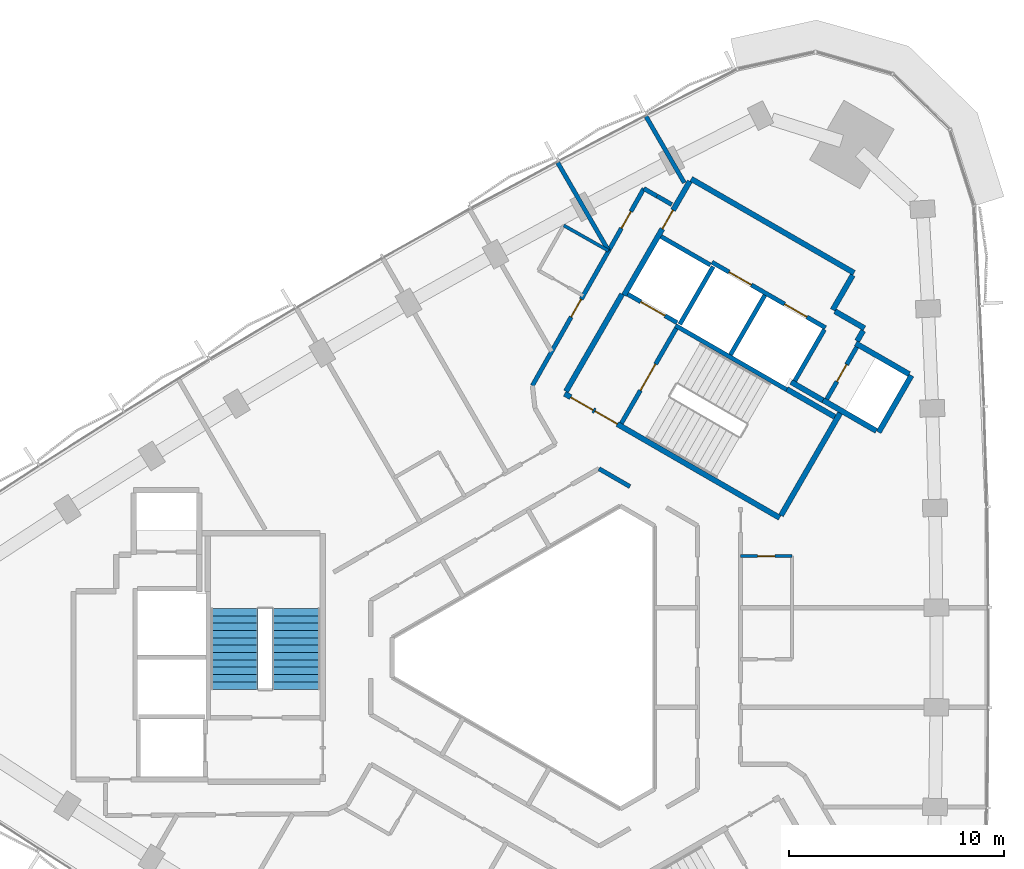
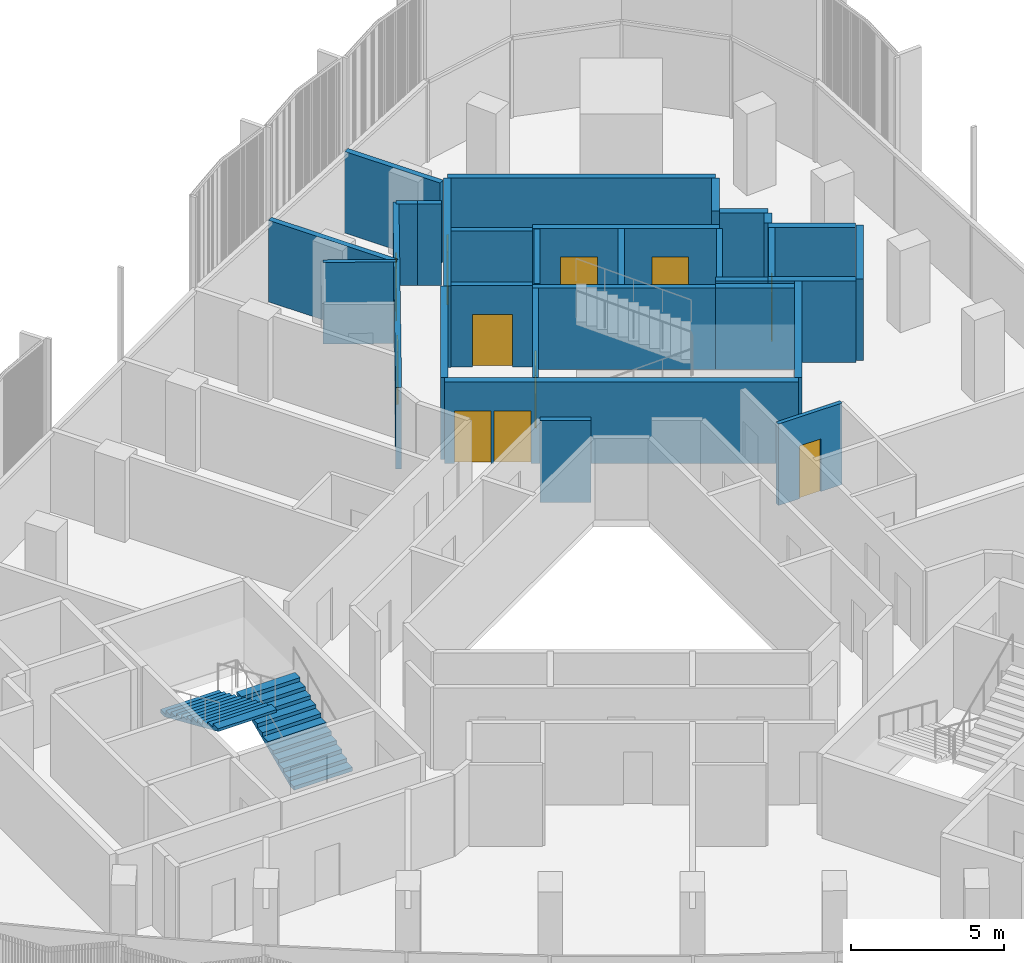
# One storey, part 10 of 14: 30 walls, 11 doors, 2 stair flights, 11 openings, 1 element without a shape of its own.
"""IFC4 building model written with IfcOpenShell, lengths in metres."""

from ifc_helpers import new_model, si_unit, direction, frame, frame_2d, origin, place, context, subcontext, project, spatial, polyline, rectangle, outline, extrude, material, layer, layer_set, type_object, element, fill, aggregate, save


model = new_model("IFC4")

# Units and contexts
model_context = context("Model", 3, precision=1e-05, world=origin(), true_north=direction((0.0, 1.0)))
body_context = subcontext(model_context, "Body", "Model", "MODEL_VIEW")
ifc_project = project(units=[si_unit("LENGTHUNIT", "METRE"), si_unit("AREAUNIT", "SQUARE_METRE"), si_unit("VOLUMEUNIT", "CUBIC_METRE"), si_unit("PLANEANGLEUNIT", "RADIAN"), si_unit("MASSUNIT", "GRAM", prefix="KILO")], contexts=[model_context])

# Site, building, storey
site_placement = place(None, origin())
site = spatial("IfcSite", under=ifc_project, at=site_placement, CompositionType="ELEMENT")
building_placement = place(site_placement, origin())
building = spatial("IfcBuilding", under=site, at=building_placement, Name="Tamra Quay Hotel Tower", CompositionType="ELEMENT")
storey_placement = place(building_placement, frame((0.0, 0.0, 197.199951171875)))
storey = spatial("IfcBuildingStorey", under=building, at=storey_placement, Name="L49", CompositionType="ELEMENT", Elevation=197.199951171875)

# Wall, openings, doors
ifc_material_1 = material(Name="Concrete M70", Category="concrete")
ifc_layer_1 = layer(ifc_material_1, 0.199951171875)
ifc_layer_set_1 = layer_set([ifc_layer_1], Name="Concrete M70 core wall 200")
wall_type_1 = type_object("IfcWallType", Name="Concrete M70 core wall 200", PredefinedType="SHEAR", material=ifc_layer_set_1)
wall_1_placement = place(storey_placement, frame((12.552490234375, 15.341552734375, 0.0), z_axis=(0.0, 0.0, 1.0), x_axis=(-0.866030299012, 0.499991521122, 0.0)))
wall_1 = element("IfcWall", 1, at=wall_1_placement, inside=storey, type_object=wall_type_1, Name="CW2", PredefinedType="SHEAR", context=body_context, shape_type="SweptSolid", body=[
    extrude(rectangle(XDim=6.10009765625, YDim=0.199951171875, at=frame_2d((3.050048828125, 0.0))), origin(), (0.0, 0.0, 1.0), 3.25),
])
opening_1_placement = place(wall_1_placement, frame((1.0, 0.0, 0.0)))
opening_1 = element("IfcOpeningElement", 2, at=opening_1_placement, cuts=wall_1, Name="Opening LD", PredefinedType="OPENING", context=body_context, shape_type="SweptSolid", body=[
    extrude(rectangle(XDim=1.199951171875, YDim=2.10009765625, at=frame_2d((0.60009765625, 1.050048828125))), frame((0.0, 0.10986328125, 0.0), z_axis=(0.0, -1.0, 0.0), x_axis=(1.0, 0.0, 0.0)), (0.0, 0.0, 1.0), 0.219970703125),
])
opening_2_placement = place(wall_1_placement, frame((3.982177734375, 0.0, 0.0)))
opening_2 = element("IfcOpeningElement", 3, at=opening_2_placement, cuts=wall_1, Name="Opening LD", PredefinedType="OPENING", context=body_context, shape_type="SweptSolid", body=[
    extrude(rectangle(XDim=1.199951171875, YDim=2.10009765625, at=frame_2d((0.60009765625, 1.050048828125))), frame((0.0, 0.10986328125, 0.0), z_axis=(0.0, -1.0, 0.0), x_axis=(1.0, 0.0, 0.0)), (0.0, 0.0, 1.0), 0.219970703125),
])
ifc_material_2 = material(Name="Landing door LD 1200 double door sliding")
door_type_1 = type_object("IfcDoorType", Name="Landing door LD 1200 double door sliding", OperationType="DOUBLE_DOOR_SLIDING", PredefinedType="DOOR", material=ifc_material_2)
door_1_placement = place(opening_1_placement, origin())
door_1 = element("IfcDoor", 4, at=door_1_placement, inside=storey, type_object=door_type_1, Name="LD", OperationType="DOUBLE_DOOR_SLIDING", OverallHeight=2.10009765625, OverallWidth=1.199951171875, PredefinedType="DOOR", context=body_context, shape_type="SweptSolid", body=[
    extrude(rectangle(XDim=1.199951171875, YDim=2.10009765625, at=frame_2d((0.60009765625, 1.050048828125))), frame((0.0, 0.02490234375, 0.0), z_axis=(0.0, -1.0, 0.0), x_axis=(1.0, 0.0, 0.0)), (0.0, 0.0, 1.0), 0.050048828125),
])
fill(opening_1, door_1)
door_2_placement = place(opening_2_placement, origin())
door_2 = element("IfcDoor", 5, at=door_2_placement, inside=storey, type_object=door_type_1, Name="LD", OperationType="DOUBLE_DOOR_SLIDING", OverallHeight=2.10009765625, OverallWidth=1.199951171875, PredefinedType="DOOR", context=body_context, shape_type="SweptSolid", body=[
    extrude(rectangle(XDim=1.199951171875, YDim=2.10009765625, at=frame_2d((0.60009765625, 1.050048828125))), frame((0.0, 0.02490234375, 0.0), z_axis=(0.0, -1.0, 0.0), x_axis=(1.0, 0.0, 0.0)), (0.0, 0.0, 1.0), 0.050048828125),
])
fill(opening_2, door_2)

# Wall
wall_2_placement = place(storey_placement, frame((10.7431640625, 12.4599609375, 0.0), z_axis=(0.0, 0.0, 1.0), x_axis=(-0.866018848283, 0.500011354289, 0.0)))
element("IfcWall", 6, at=wall_2_placement, inside=storey, type_object=wall_type_1, Name="CW2", PredefinedType="SHEAR", context=body_context, shape_type="SweptSolid", body=[
    extrude(rectangle(XDim=5.973876953125, YDim=0.199951171875, at=frame_2d((2.98681640625, 0.0))), origin(), (0.0, 0.0, 1.0), 3.25),
])

# Wall, opening, door
wall_3_placement = place(storey_placement, frame((3.056640625, 10.89453125, 0.0), z_axis=(0.0, 0.0, 1.0), x_axis=(0.500027839223, 0.866009330205, 0.0)))
wall_3 = element("IfcWall", 7, at=wall_3_placement, inside=storey, type_object=wall_type_1, Name="CW2", PredefinedType="SHEAR", context=body_context, shape_type="SweptSolid", body=[
    extrude(rectangle(XDim=5.097900390625, YDim=0.199951171875, at=frame_2d((2.548828125, 0.0))), origin(), (0.0, 0.0, 1.0), 3.25),
])
opening_3_placement = place(wall_3_placement, frame((1.77392578125, 0.0, 0.0)))
opening_3 = element("IfcOpeningElement", 8, at=opening_3_placement, cuts=wall_3, Name="Opening FD2", PredefinedType="OPENING", context=body_context, shape_type="SweptSolid", body=[
    extrude(rectangle(XDim=1.39990234375, YDim=2.10009765625, at=frame_2d((0.699951171875, 1.050048828125))), frame((0.0, 0.10986328125, 0.0), z_axis=(0.0, -1.0, 0.0), x_axis=(1.0, 0.0, 0.0)), (0.0, 0.0, 1.0), 0.219970703125),
])
ifc_material_3 = material(Name="Core door FD2 1400x2100 RH")
door_type_2 = type_object("IfcDoorType", Name="Core door FD2 1400x2100 RH", OperationType="NOTDEFINED", PredefinedType="DOOR", material=ifc_material_3)
door_3_placement = place(opening_3_placement, origin())
door_3 = element("IfcDoor", 9, at=door_3_placement, inside=storey, type_object=door_type_2, Name="FD2", OperationType="SINGLE_SWING_RIGHT", OverallHeight=2.10009765625, OverallWidth=1.39990234375, PredefinedType="DOOR", context=body_context, shape_type="SweptSolid", body=[
    extrude(rectangle(XDim=1.39990234375, YDim=2.10009765625, at=frame_2d((0.699951171875, 1.050048828125))), frame((0.0, 0.02490234375, 0.0), z_axis=(0.0, -1.0, 0.0), x_axis=(1.0, 0.0, 0.0)), (0.0, 0.0, 1.0), 0.050048828125),
])
fill(opening_3, door_3)

# Wall
wall_4_placement = place(storey_placement, frame((8.131591796875, 14.08447265625, 0.0), z_axis=(0.0, 0.0, 1.0), x_axis=(0.500030834389, 0.86600760081, 0.0)))
element("IfcWall", 10, at=wall_4_placement, inside=storey, type_object=wall_type_1, Name="CW2", PredefinedType="SHEAR", context=body_context, shape_type="SweptSolid", body=[
    extrude(rectangle(XDim=3.197998046875, YDim=0.199951171875, at=frame_2d((1.59912109375, 0.0))), origin(), (0.0, 0.0, 1.0), 3.25),
])

# Wall, opening, door
wall_5_placement = place(storey_placement, frame((14.0078125, 14.442138671875, 0.0), z_axis=(0.0, 0.0, 1.0), x_axis=(-0.499986818241, -0.866033014143, 0.0)))
wall_5 = element("IfcWall", 11, at=wall_5_placement, inside=storey, type_object=wall_type_1, Name="CW2", PredefinedType="SHEAR", context=body_context, shape_type="SweptSolid", body=[
    extrude(rectangle(XDim=2.7978515625, YDim=0.199951171875, at=frame_2d((1.39892578125, 0.0))), origin(), (0.0, 0.0, 1.0), 3.25),
])
opening_4_placement = place(wall_5_placement, frame((0.948974609375, 0.0, 0.0)))
opening_4 = element("IfcOpeningElement", 12, at=opening_4_placement, cuts=wall_5, Name="Opening D1", PredefinedType="OPENING", context=body_context, shape_type="SweptSolid", body=[
    extrude(rectangle(XDim=0.89990234375, YDim=2.10009765625, at=frame_2d((0.449951171875, 1.050048828125))), frame((0.0, 0.10986328125, 0.0), z_axis=(0.0, -1.0, 0.0), x_axis=(1.0, 0.0, 0.0)), (0.0, 0.0, 1.0), 0.219970703125),
])
ifc_material_4 = material(Name="Core door D1 900x2100 LH")
door_type_3 = type_object("IfcDoorType", Name="Core door D1 900x2100 LH", OperationType="NOTDEFINED", PredefinedType="DOOR", material=ifc_material_4)
door_4_placement = place(opening_4_placement, origin())
door_4 = element("IfcDoor", 13, at=door_4_placement, inside=storey, type_object=door_type_3, Name="D1", OperationType="SINGLE_SWING_LEFT", OverallHeight=2.10009765625, OverallWidth=0.89990234375, PredefinedType="DOOR", context=body_context, shape_type="SweptSolid", body=[
    extrude(rectangle(XDim=0.89990234375, YDim=2.10009765625, at=frame_2d((0.449951171875, 1.050048828125))), frame((0.0, 0.02490234375, 0.0), z_axis=(0.0, -1.0, 0.0), x_axis=(1.0, 0.0, 0.0)), (0.0, 0.0, 1.0), 0.050048828125),
])
fill(opening_4, door_4)

# Walls
wall_6_placement = place(storey_placement, frame((12.50244140625, 15.2548828125, 0.0), z_axis=(0.0, 0.0, 1.0), x_axis=(-0.499965018551, -0.866045599391, 0.0)))
element("IfcWall", 14, at=wall_6_placement, inside=storey, type_object=wall_type_1, Name="CW2", PredefinedType="SHEAR", context=body_context, shape_type="SweptSolid", body=[
    extrude(rectangle(XDim=2.759033203125, YDim=0.199951171875, at=frame_2d((1.37939453125, 0.0))), origin(), (0.0, 0.0, 1.0), 3.25),
])
wall_7_placement = place(storey_placement, frame((7.324462890625, 18.1865234375, 0.0), z_axis=(0.0, 0.0, 1.0), x_axis=(-0.499967891604, -0.866043940782, 0.0)))
element("IfcWall", 15, at=wall_7_placement, inside=storey, type_object=wall_type_1, Name="CW2", PredefinedType="SHEAR", context=body_context, shape_type="SweptSolid", body=[
    extrude(rectangle(XDim=3.099853515625, YDim=0.199951171875, at=frame_2d((1.5498046875, 0.0))), origin(), (0.0, 0.0, 1.0), 3.25),
])

# Wall, opening, door
wall_8_placement = place(storey_placement, frame((5.646240234375, 15.575927734375, 0.0), z_axis=(0.0, 0.0, 1.0), x_axis=(-0.866018407898, 0.500012117035, 0.0)))
wall_8 = element("IfcWall", 16, at=wall_8_placement, inside=storey, type_object=wall_type_1, Name="CW2", PredefinedType="SHEAR", context=body_context, shape_type="SweptSolid", body=[
    extrude(rectangle(XDim=2.65087890625, YDim=0.199951171875, at=frame_2d((1.325439453125, 0.0))), origin(), (0.0, 0.0, 1.0), 3.25),
])
opening_5_placement = place(wall_8_placement, frame((0.65185546875, 0.0, 0.0)))
opening_5 = element("IfcOpeningElement", 17, at=opening_5_placement, cuts=wall_8, Name="Opening LD", PredefinedType="OPENING", context=body_context, shape_type="SweptSolid", body=[
    extrude(rectangle(XDim=1.300048828125, YDim=2.10009765625, at=frame_2d((0.64990234375, 1.050048828125))), frame((0.0, 0.10986328125, 0.0), z_axis=(0.0, -1.0, 0.0), x_axis=(1.0, 0.0, 0.0)), (0.0, 0.0, 1.0), 0.219970703125),
])
ifc_material_5 = material(Name="Landing door LD 1300 sliding to right")
door_type_4 = type_object("IfcDoorType", Name="Landing door LD 1300 sliding to right", OperationType="NOTDEFINED", PredefinedType="DOOR", material=ifc_material_5)
door_5_placement = place(opening_5_placement, origin())
door_5 = element("IfcDoor", 18, at=door_5_placement, inside=storey, type_object=door_type_4, Name="LD", OperationType="SLIDING_TO_RIGHT", OverallHeight=2.10009765625, OverallWidth=1.300048828125, PredefinedType="DOOR", context=body_context, shape_type="SweptSolid", body=[
    extrude(rectangle(XDim=1.300048828125, YDim=2.10009765625, at=frame_2d((0.64990234375, 1.050048828125))), frame((0.0, 0.02490234375, 0.0), z_axis=(0.0, -1.0, 0.0), x_axis=(1.0, 0.0, 0.0)), (0.0, 0.0, 1.0), 0.050048828125),
])
fill(opening_5, door_5)

# Wall
wall_9_placement = place(storey_placement, frame((7.1962890625, 18.260498046875, 0.0), z_axis=(0.0, 0.0, 1.0), x_axis=(-0.866018407898, 0.500012117035, 0.0)))
element("IfcWall", 19, at=wall_9_placement, inside=storey, type_object=wall_type_1, Name="CW2", PredefinedType="SHEAR", context=body_context, shape_type="SweptSolid", body=[
    extrude(rectangle(XDim=2.65087890625, YDim=0.199951171875, at=frame_2d((1.325439453125, 0.0))), origin(), (0.0, 0.0, 1.0), 3.25),
])

# Wall, openings, doors
ifc_layer_2 = layer(ifc_material_1, 0.25)
ifc_layer_set_2 = layer_set([ifc_layer_2], Name="Concrete M70 core wall 250")
wall_type_2 = type_object("IfcWallType", Name="Concrete M70 core wall 250", PredefinedType="SHEAR", material=ifc_layer_set_2)
wall_10_placement = place(storey_placement, frame((10.419921875, 6.497802734375, 0.0), z_axis=(0.0, 0.0, 1.0), x_axis=(-0.866021906294, 0.500006057782, 0.0)))
wall_10 = element("IfcWall", 20, at=wall_10_placement, inside=storey, type_object=wall_type_2, Name="CW1", PredefinedType="SHEAR", context=body_context, shape_type="SweptSolid", body=[
    extrude(rectangle(XDim=11.550048828125, YDim=0.25, at=frame_2d((5.77490234375, 0.0))), origin(), (0.0, 0.0, 1.0), 3.25),
])
opening_6_placement = place(wall_10_placement, frame((10.02490234375, 0.0, 0.0)))
opening_6 = element("IfcOpeningElement", 21, at=opening_6_placement, cuts=wall_10, Name="Opening FD1", PredefinedType="OPENING", context=body_context, shape_type="SweptSolid", body=[
    extrude(rectangle(XDim=1.199951171875, YDim=2.10009765625, at=frame_2d((0.60009765625, 1.050048828125))), frame((0.0, 0.135009765625, 0.0), z_axis=(0.0, -1.0, 0.0), x_axis=(1.0, 0.0, 0.0)), (0.0, 0.0, 1.0), 0.27001953125),
])
opening_7_placement = place(wall_10_placement, frame((8.724853515625, 0.0, 0.0)))
opening_7 = element("IfcOpeningElement", 22, at=opening_7_placement, cuts=wall_10, Name="Opening FD1", PredefinedType="OPENING", context=body_context, shape_type="SweptSolid", body=[
    extrude(rectangle(XDim=1.199951171875, YDim=2.10009765625, at=frame_2d((0.60009765625, 1.050048828125))), frame((0.0, 0.135009765625, 0.0), z_axis=(0.0, -1.0, 0.0), x_axis=(1.0, 0.0, 0.0)), (0.0, 0.0, 1.0), 0.27001953125),
])
ifc_material_6 = material(Name="Core door FD1 1200x2100 LH")
door_type_5 = type_object("IfcDoorType", Name="Core door FD1 1200x2100 LH", OperationType="NOTDEFINED", PredefinedType="DOOR", material=ifc_material_6)
door_6_placement = place(opening_6_placement, origin())
door_6 = element("IfcDoor", 23, at=door_6_placement, inside=storey, type_object=door_type_5, Name="FD1", OperationType="SINGLE_SWING_LEFT", OverallHeight=2.10009765625, OverallWidth=1.199951171875, PredefinedType="DOOR", context=body_context, shape_type="SweptSolid", body=[
    extrude(rectangle(XDim=1.199951171875, YDim=2.10009765625, at=frame_2d((0.60009765625, 1.050048828125))), frame((0.0, 0.02490234375, 0.0), z_axis=(0.0, -1.0, 0.0), x_axis=(1.0, 0.0, 0.0)), (0.0, 0.0, 1.0), 0.050048828125),
])
fill(opening_6, door_6)
ifc_material_7 = material(Name="Core door FD1 1200x2100 RH")
door_type_6 = type_object("IfcDoorType", Name="Core door FD1 1200x2100 RH", OperationType="NOTDEFINED", PredefinedType="DOOR", material=ifc_material_7)
door_7_placement = place(opening_7_placement, origin())
door_7 = element("IfcDoor", 24, at=door_7_placement, inside=storey, type_object=door_type_6, Name="FD1", OperationType="SINGLE_SWING_RIGHT", OverallHeight=2.10009765625, OverallWidth=1.199951171875, PredefinedType="DOOR", context=body_context, shape_type="SweptSolid", body=[
    extrude(rectangle(XDim=1.199951171875, YDim=2.10009765625, at=frame_2d((0.60009765625, 1.050048828125))), frame((0.0, 0.02490234375, 0.0), z_axis=(0.0, -1.0, 0.0), x_axis=(1.0, 0.0, 0.0)), (0.0, 0.0, 1.0), 0.050048828125),
])
fill(opening_7, door_7)

# Wall
wall_11_placement = place(storey_placement, frame((6.303955078125, 22.268798828125, 0.0), z_axis=(0.0, 0.0, 1.0), x_axis=(0.866022959057, -0.500004234368, 0.0)))
element("IfcWall", 25, at=wall_11_placement, inside=storey, type_object=wall_type_2, Name="CW1", PredefinedType="SHEAR", context=body_context, shape_type="SweptSolid", body=[
    extrude(rectangle(XDim=8.75, YDim=0.25, at=frame_2d((4.375, 0.0))), origin(), (0.0, 0.0, 1.0), 3.25),
])

# Wall, opening, door
wall_12_placement = place(storey_placement, frame((3.178955078125, 16.856201171875, 0.0), z_axis=(0.0, 0.0, 1.0), x_axis=(0.500001955336, 0.866024274868, 0.0)))
wall_12 = element("IfcWall", 26, at=wall_12_placement, inside=storey, type_object=wall_type_2, Name="CW1", PredefinedType="SHEAR", context=body_context, shape_type="SweptSolid", body=[
    extrude(rectangle(XDim=6.12451171875, YDim=0.25, at=frame_2d((3.062255859375, 0.0))), origin(), (0.0, 0.0, 1.0), 3.25),
])
opening_8_placement = place(wall_12_placement, frame((3.562744140625, 0.0, 0.0)))
opening_8 = element("IfcOpeningElement", 27, at=opening_8_placement, cuts=wall_12, Name="Opening FD3", PredefinedType="OPENING", context=body_context, shape_type="SweptSolid", body=[
    extrude(rectangle(XDim=1.0, YDim=2.10009765625, at=frame_2d((0.5, 1.050048828125))), frame((0.0, 0.135009765625, 0.0), z_axis=(0.0, -1.0, 0.0), x_axis=(1.0, 0.0, 0.0)), (0.0, 0.0, 1.0), 0.27001953125),
])
ifc_material_8 = material(Name="Core door FD3 1000x2100 LH")
door_type_7 = type_object("IfcDoorType", Name="Core door FD3 1000x2100 LH", OperationType="NOTDEFINED", PredefinedType="DOOR", material=ifc_material_8)
door_8_placement = place(opening_8_placement, origin())
door_8 = element("IfcDoor", 28, at=door_8_placement, inside=storey, type_object=door_type_7, Name="FD3", OperationType="SINGLE_SWING_LEFT", OverallHeight=2.10009765625, OverallWidth=1.0, PredefinedType="DOOR", context=body_context, shape_type="SweptSolid", body=[
    extrude(rectangle(XDim=1.0, YDim=2.10009765625, at=frame_2d((0.5, 1.050048828125))), frame((0.0, 0.02490234375, 0.0), z_axis=(0.0, -1.0, 0.0), x_axis=(1.0, 0.0, 0.0)), (0.0, 0.0, 1.0), 0.050048828125),
])
fill(opening_8, door_8)

# Walls
wall_13_placement = place(storey_placement, frame((0.47998046875, 12.38134765625, 0.0), z_axis=(0.0, 0.0, 1.0), x_axis=(0.49999885962, 0.866026062182, 0.0)))
element("IfcWall", 29, at=wall_13_placement, inside=storey, type_object=wall_type_2, Name="CW1", PredefinedType="SHEAR", context=body_context, shape_type="SweptSolid", body=[
    extrude(rectangle(XDim=5.224609375, YDim=0.25, at=frame_2d((2.6123046875, 0.0))), origin(), (0.0, 0.0, 1.0), 3.25),
])
wall_14_placement = place(storey_placement, frame((13.237548828125, 11.3779296875, 0.0), z_axis=(0.0, 0.0, 1.0), x_axis=(-0.500008851346, -0.866020293397, 0.0)))
element("IfcWall", 30, at=wall_14_placement, inside=storey, type_object=wall_type_2, Name="CW1", PredefinedType="SHEAR", context=body_context, shape_type="SweptSolid", body=[
    extrude(rectangle(XDim=5.509765625, YDim=0.25, at=frame_2d((2.7548828125, 0.0))), origin(), (0.0, 0.0, 1.0), 3.25),
])
wall_15_placement = place(storey_placement, frame((16.552001953125, 13.118896484375, 0.0), z_axis=(0.0, 0.0, 1.0), x_axis=(-0.499978833458, -0.866037623948, 0.0)))
element("IfcWall", 31, at=wall_15_placement, inside=storey, type_object=wall_type_2, Name="CW1", PredefinedType="SHEAR", context=body_context, shape_type="SweptSolid", body=[
    extrude(rectangle(XDim=3.050048828125, YDim=0.25, at=frame_2d((1.52490234375, 0.0))), origin(), (0.0, 0.0, 1.0), 3.25),
])
wall_16_placement = place(storey_placement, frame((14.91845703125, 10.540283203125, 0.0), z_axis=(0.0, 0.0, 1.0), x_axis=(-0.866063538972, 0.499933942099, 0.0)))
element("IfcWall", 32, at=wall_16_placement, inside=storey, type_object=wall_type_2, Name="CW1", PredefinedType="SHEAR", context=body_context, shape_type="SweptSolid", body=[
    extrude(rectangle(XDim=2.86474609375, YDim=0.25, at=frame_2d((1.432373046875, 0.0))), origin(), (0.0, 0.0, 1.0), 3.25),
])
wall_17_placement = place(storey_placement, frame((13.962646484375, 14.61376953125, 0.0), z_axis=(0.0, 0.0, 1.0), x_axis=(0.866042235819, -0.499970844928, 0.0)))
element("IfcWall", 33, at=wall_17_placement, inside=storey, type_object=wall_type_2, Name="CW1", PredefinedType="SHEAR", context=body_context, shape_type="SweptSolid", body=[
    extrude(rectangle(XDim=2.864501953125, YDim=0.25, at=frame_2d((1.43212890625, 0.0))), origin(), (0.0, 0.0, 1.0), 3.25),
])
wall_18_placement = place(storey_placement, frame((10.756591796875, 12.481201171875, 0.0), z_axis=(0.0, 0.0, 1.0), x_axis=(0.866022940537, -0.500004266446, 0.0)))
element("IfcWall", 34, at=wall_18_placement, inside=storey, type_object=wall_type_2, Name="CW1", PredefinedType="SHEAR", context=body_context, shape_type="SweptSolid", body=[
    extrude(rectangle(XDim=2.57470703125, YDim=0.25, at=frame_2d((1.287353515625, 0.0))), origin(), (0.0, 0.0, 1.0), 3.25),
])
wall_19_placement = place(storey_placement, frame((13.819091796875, 17.78515625, 0.0), z_axis=(0.0, 0.0, 1.0), x_axis=(-0.500039802285, -0.866002422705, 0.0)))
element("IfcWall", 35, at=wall_19_placement, inside=storey, type_object=wall_type_2, Name="CW1", PredefinedType="SHEAR", context=body_context, shape_type="SweptSolid", body=[
    extrude(rectangle(XDim=1.864501953125, YDim=0.25, at=frame_2d((0.93212890625, 0.0))), origin(), (0.0, 0.0, 1.0), 3.25),
])
wall_20_placement = place(storey_placement, frame((12.4326171875, 11.9638671875, 0.0), z_axis=(0.0, 0.0, 1.0), x_axis=(-0.866038183914, 0.499977863513, 0.0)))
element("IfcWall", 36, at=wall_20_placement, inside=storey, type_object=wall_type_2, Name="CW1", PredefinedType="SHEAR", context=body_context, shape_type="SweptSolid", body=[
    extrude(rectangle(XDim=1.7099609375, YDim=0.25, at=frame_2d((0.85498046875, 0.0))), origin(), (0.0, 0.0, 1.0), 3.25),
])
wall_21_placement = place(storey_placement, frame((12.995361328125, 16.107666015625, 0.0), z_axis=(0.0, 0.0, 1.0), x_axis=(0.866044474677, -0.49996696679, 0.0)))
element("IfcWall", 37, at=wall_21_placement, inside=storey, type_object=wall_type_2, Name="CW1", PredefinedType="SHEAR", context=body_context, shape_type="SweptSolid", body=[
    extrude(rectangle(XDim=1.58447265625, YDim=0.25, at=frame_2d((0.792236328125, 0.0))), origin(), (0.0, 0.0, 1.0), 3.25),
])
wall_22_placement = place(storey_placement, frame((14.304931640625, 15.206787109375, 0.0), z_axis=(0.0, 0.0, 1.0), x_axis=(-0.499848422343, -0.866112899501, 0.0)))
element("IfcWall", 38, at=wall_22_placement, inside=storey, type_object=wall_type_2, Name="CW1", PredefinedType="SHEAR", context=body_context, shape_type="SweptSolid", body=[
    extrude(rectangle(XDim=0.559326171875, YDim=0.25, at=frame_2d((0.27978515625, 0.0))), origin(), (0.0, 0.0, 1.0), 3.25),
])

# Wall, openings, doors
ifc_material_9 = material(Name="Partition corridor wall")
ifc_layer_3 = layer(ifc_material_9, 0.199951171875)
ifc_layer_set_3 = layer_set([ifc_layer_3], Name="Partition corridor wall")
wall_type_3 = type_object("IfcWallType", Name="Partition corridor wall", PredefinedType="PARTITIONING", material=ifc_layer_set_3)
wall_23_placement = place(storey_placement, frame((-1.085693359375, 12.650390625, 0.0), z_axis=(0.0, 0.0, 1.0), x_axis=(0.492507119433, 0.870308415051, 0.0)))
wall_23 = element("IfcWall", 39, at=wall_23_placement, inside=storey, type_object=wall_type_3, Name="W-C", PredefinedType="PARTITIONING", context=body_context, shape_type="SweptSolid", body=[
    extrude(rectangle(XDim=10.53125, YDim=0.199951171875, at=frame_2d((5.265625, 0.0))), origin(), (0.0, 0.0, 1.0), 3.25),
])
opening_9_placement = place(wall_23_placement, frame((8.411376953125, 0.0, 0.0)))
opening_9 = element("IfcOpeningElement", 40, at=opening_9_placement, cuts=wall_23, Name="Opening L49-D008", PredefinedType="OPENING", context=body_context, shape_type="SweptSolid", body=[
    extrude(rectangle(XDim=0.89990234375, YDim=2.10009765625, at=frame_2d((0.449951171875, 1.050048828125))), frame((0.0, 0.10986328125, 0.0), z_axis=(0.0, -1.0, 0.0), x_axis=(1.0, 0.0, 0.0)), (0.0, 0.0, 1.0), 0.219970703125),
])
opening_10_placement = place(wall_23_placement, frame((3.664306640625, 0.0, 0.0)))
opening_10 = element("IfcOpeningElement", 41, at=opening_10_placement, cuts=wall_23, Name="Opening L49-D009", PredefinedType="OPENING", context=body_context, shape_type="SweptSolid", body=[
    extrude(rectangle(XDim=0.949951171875, YDim=2.10009765625, at=frame_2d((0.47509765625, 1.050048828125))), frame((0.0, 0.10986328125, 0.0), z_axis=(0.0, -1.0, 0.0), x_axis=(1.0, 0.0, 0.0)), (0.0, 0.0, 1.0), 0.219970703125),
])
ifc_material_10 = material(Name="Door guest room 950x2100")
door_type_8 = type_object("IfcDoorType", Name="Door guest room 950x2100", OperationType="NOTDEFINED", PredefinedType="DOOR", material=ifc_material_10)
door_9_placement = place(opening_10_placement, origin())
door_9 = element("IfcDoor", 42, at=door_9_placement, inside=storey, type_object=door_type_8, Name="L49-D009", OperationType="SINGLE_SWING_LEFT", OverallHeight=2.10009765625, OverallWidth=0.949951171875, PredefinedType="DOOR", context=body_context, shape_type="SweptSolid", body=[
    extrude(rectangle(XDim=0.949951171875, YDim=2.10009765625, at=frame_2d((0.47509765625, 1.050048828125))), frame((0.0, 0.02490234375, 0.0), z_axis=(0.0, -1.0, 0.0), x_axis=(1.0, 0.0, 0.0)), (0.0, 0.0, 1.0), 0.050048828125),
])
fill(opening_10, door_9)
ifc_material_11 = material(Name="Door service room 900x2100")
door_type_9 = type_object("IfcDoorType", Name="Door service room 900x2100", OperationType="NOTDEFINED", PredefinedType="DOOR", material=ifc_material_11)
door_10_placement = place(opening_9_placement, origin())
door_10 = element("IfcDoor", 43, at=door_10_placement, inside=storey, type_object=door_type_9, Name="L49-D008", OperationType="SINGLE_SWING_LEFT", OverallHeight=2.10009765625, OverallWidth=0.89990234375, PredefinedType="DOOR", context=body_context, shape_type="SweptSolid", body=[
    extrude(rectangle(XDim=0.89990234375, YDim=2.10009765625, at=frame_2d((0.449951171875, 1.050048828125))), frame((0.0, 0.02490234375, 0.0), z_axis=(0.0, -1.0, 0.0), x_axis=(1.0, 0.0, 0.0)), (0.0, 0.0, 1.0), 0.050048828125),
])
fill(opening_9, door_10)

# Walls
wall_24_placement = place(storey_placement, frame((2.012451171875, 8.78369140625, 0.0), z_axis=(0.0, 0.0, 1.0), x_axis=(0.865934186891, -0.500157959022, 0.0)))
element("IfcWall", 44, at=wall_24_placement, inside=storey, type_object=wall_type_3, Name="W-C", PredefinedType="PARTITIONING", context=body_context, shape_type="SweptSolid", body=[
    extrude(rectangle(XDim=1.666015625, YDim=0.199951171875, at=frame_2d((0.8330078125, 0.0))), origin(), (0.0, 0.0, 1.0), 3.25),
])
wall_25_placement = place(storey_placement, frame((4.10205078125, 21.81591796875, 0.0), z_axis=(0.0, 0.0, 1.0), x_axis=(0.867664502326, -0.497150189986, 0.0)))
element("IfcWall", 45, at=wall_25_placement, inside=storey, type_object=wall_type_3, Name="W-C", PredefinedType="PARTITIONING", context=body_context, shape_type="SweptSolid", body=[
    extrude(rectangle(XDim=0.70166015625, YDim=0.199951171875, at=frame_2d((0.350830078125, 0.0))), origin(), (0.0, 0.0, 1.0), 3.25),
])
wall_26_placement = place(storey_placement, frame((4.716064453125, 21.468017578125, 0.0), z_axis=(0.0, 0.0, 1.0), x_axis=(0.865912682783, -0.500195187698, 0.0)))
element("IfcWall", 46, at=wall_26_placement, inside=storey, type_object=wall_type_3, Name="W-C", PredefinedType="PARTITIONING", context=body_context, shape_type="SweptSolid", body=[
    extrude(rectangle(XDim=0.789794921875, YDim=0.199951171875, at=frame_2d((0.39501953125, 0.0))), origin(), (0.0, 0.0, 1.0), 3.25),
])
ifc_material_12 = material(Name="Partition en-suite wall")
ifc_layer_4 = layer(ifc_material_12, 0.14990234375)
ifc_layer_set_4 = layer_set([ifc_layer_4], Name="Partition en-suite wall")
wall_type_4 = type_object("IfcWallType", Name="Partition en-suite wall", PredefinedType="PARTITIONING", material=ifc_layer_set_4)
wall_27_placement = place(storey_placement, frame((0.373046875, 20.10107421875, 0.0), z_axis=(0.0, 0.0, 1.0), x_axis=(0.870301279559, -0.492519728334, 0.0)))
element("IfcWall", 47, at=wall_27_placement, inside=storey, type_object=wall_type_4, Name="W-E", PredefinedType="PARTITIONING", context=body_context, shape_type="SweptSolid", body=[
    extrude(rectangle(XDim=2.400146484375, YDim=0.14990234375, at=frame_2d((1.2001953125, 0.0))), origin(), (0.0, 0.0, 1.0), 3.25),
])

# Wall, opening, door
wall_28_placement = place(storey_placement, frame((8.60107421875, 4.718994140625, 0.0), z_axis=(0.0, 0.0, 1.0), x_axis=(1.0, 0.0, 0.0)))
wall_28 = element("IfcWall", 48, at=wall_28_placement, inside=storey, type_object=wall_type_4, Name="W-E", PredefinedType="PARTITIONING", context=body_context, shape_type="SweptSolid", body=[
    extrude(rectangle(XDim=2.39697265625, YDim=0.14990234375, at=frame_2d((1.198486328125, 0.0))), origin(), (0.0, 0.0, 1.0), 3.25),
])
opening_11_placement = place(wall_28_placement, frame((0.799072265625, 0.0, 0.0)))
opening_11 = element("IfcOpeningElement", 49, at=opening_11_placement, cuts=wall_28, Name="Opening L49-D007", PredefinedType="OPENING", context=body_context, shape_type="SweptSolid", body=[
    extrude(rectangle(XDim=0.800048828125, YDim=2.10009765625, at=frame_2d((0.39990234375, 1.050048828125))), frame((0.0, 0.0849609375, 0.0), z_axis=(0.0, -1.0, 0.0), x_axis=(1.0, 0.0, 0.0)), (0.0, 0.0, 1.0), 0.169921875),
])
ifc_material_13 = material(Name="Door en-suite 800x2100")
door_type_10 = type_object("IfcDoorType", Name="Door en-suite 800x2100", OperationType="NOTDEFINED", PredefinedType="DOOR", material=ifc_material_13)
door_11_placement = place(opening_11_placement, origin())
door_11 = element("IfcDoor", 50, at=door_11_placement, inside=storey, type_object=door_type_10, Name="L49-D007", OperationType="SINGLE_SWING_LEFT", OverallHeight=2.10009765625, OverallWidth=0.800048828125, PredefinedType="DOOR", context=body_context, shape_type="SweptSolid", body=[
    extrude(rectangle(XDim=0.800048828125, YDim=2.10009765625, at=frame_2d((0.39990234375, 1.050048828125))), frame((0.0, 0.02490234375, 0.0), z_axis=(0.0, -1.0, 0.0), x_axis=(1.0, 0.0, 0.0)), (0.0, 0.0, 1.0), 0.050048828125),
])
fill(opening_11, door_11)

# Walls
ifc_material_14 = material(Name="Partition party wall")
ifc_layer_5 = layer(ifc_material_14, 0.199951171875)
ifc_layer_set_5 = layer_set([ifc_layer_5], Name="Partition party wall")
wall_type_5 = type_object("IfcWallType", Name="Partition party wall", PredefinedType="PARTITIONING", material=ifc_layer_set_5)
wall_29_placement = place(storey_placement, frame((0.07568359375, 23.052490234375, 0.0), z_axis=(0.0, 0.0, 1.0), x_axis=(0.499957131376, -0.866050152581, 0.0)))
element("IfcWall", 51, at=wall_29_placement, inside=storey, type_object=wall_type_5, Name="W-P", PredefinedType="PARTITIONING", context=body_context, shape_type="SweptSolid", body=[
    extrude(rectangle(XDim=4.77294921875, YDim=0.199951171875, at=frame_2d((2.386474609375, 0.0))), origin(), (0.0, 0.0, 1.0), 3.25),
])
wall_30_placement = place(storey_placement, frame((4.184326171875, 25.203125, 0.0), z_axis=(0.0, 0.0, 1.0), x_axis=(0.4998731114, -0.866098650558, 0.0)))
element("IfcWall", 52, at=wall_30_placement, inside=storey, type_object=wall_type_5, Name="W-P", PredefinedType="PARTITIONING", context=body_context, shape_type="SweptSolid", body=[
    extrude(rectangle(XDim=3.6005859375, YDim=0.199951171875, at=frame_2d((1.80029296875, 0.0))), origin(), (0.0, 0.0, 1.0), 3.25),
])

# Stair, stair flights
ifc_material_15 = material(Name="Exit stair 2200 24 risers 150.0 going 342")
stair_type = type_object("IfcStairType", Name="Exit stair 2200 24 risers 150.0 going 342", PredefinedType="HALF_TURN_STAIR", material=ifc_material_15)
stair_placement = place(storey_placement, origin())
stair = element("IfcStair", 53, at=stair_placement, inside=storey, type_object=stair_type, Name="L49 Exit stair ST3", PredefinedType="HALF_TURN_STAIR")
ifc_material_16 = material(Name="Exit stair flight 2200 12 risers 150.0")
stair_flight_type = type_object("IfcStairFlightType", Name="Exit stair flight 2200 12 risers 150.0", PredefinedType="STRAIGHT", material=ifc_material_16)
stair_flight_1_placement = place(storey_placement, frame((-12.082275390625, -1.47998046875, 0.0), z_axis=(0.0, 0.0, 1.0), x_axis=(0.0, 1.0, 0.0)))
stair_flight_1 = element("IfcStairFlight", 54, at=stair_flight_1_placement, type_object=stair_flight_type, Name="ST3 flight 1", NumberOfRisers=12, NumberOfTreads=11, PredefinedType="STRAIGHT", RiserHeight=0.15, TreadLength=0.342, context=body_context, shape_type="SweptSolid", body=[
    extrude(outline(polyline([(0.0, 0.0), (0.0, 0.14990234375), (0.342041015625, 0.14990234375), (0.342041015625, 0.300048828125), (0.68408203125, 0.300048828125), (0.68408203125, 0.449951171875), (1.02587890625, 0.449951171875), (1.02587890625, 0.60009765625), (1.367919921875, 0.60009765625), (1.367919921875, 0.75), (1.7099609375, 0.75), (1.7099609375, 0.89990234375), (2.052001953125, 0.89990234375), (2.052001953125, 1.050048828125), (2.39404296875, 1.050048828125), (2.39404296875, 1.199951171875), (2.736083984375, 1.199951171875), (2.736083984375, 1.35009765625), (3.077880859375, 1.35009765625), (3.077880859375, 1.5), (3.419921875, 1.5), (3.419921875, 1.64990234375), (3.761962890625, 1.64990234375), (3.761962890625, 1.800048828125), (3.761962890625, 1.540771484375), (0.249267578125, 0.0), (0.0, 0.0)])), frame((0.0, 1.10009765625, 0.0), z_axis=(0.0, -1.0, 0.0), x_axis=(1.0, 0.0, 0.0)), (0.0, 0.0, 1.0), 2.199951171875),
])
stair_flight_2_placement = place(storey_placement, frame((-14.94140625, 2.281982421875, 1.800048828125), z_axis=(0.0, 0.0, 1.0), x_axis=(0.0, -1.0, 0.0)))
stair_flight_2 = element("IfcStairFlight", 55, at=stair_flight_2_placement, type_object=stair_flight_type, Name="ST3 flight 2", NumberOfRisers=12, NumberOfTreads=11, PredefinedType="STRAIGHT", RiserHeight=0.15, TreadLength=0.342, context=body_context, shape_type="SweptSolid", body=[
    extrude(outline(polyline([(0.0, 0.0), (0.0, 0.14990234375), (0.342041015625, 0.14990234375), (0.342041015625, 0.300048828125), (0.68408203125, 0.300048828125), (0.68408203125, 0.449951171875), (1.02587890625, 0.449951171875), (1.02587890625, 0.60009765625), (1.367919921875, 0.60009765625), (1.367919921875, 0.75), (1.7099609375, 0.75), (1.7099609375, 0.89990234375), (2.052001953125, 0.89990234375), (2.052001953125, 1.050048828125), (2.39404296875, 1.050048828125), (2.39404296875, 1.199951171875), (2.736083984375, 1.199951171875), (2.736083984375, 1.35009765625), (3.077880859375, 1.35009765625), (3.077880859375, 1.5), (3.419921875, 1.5), (3.419921875, 1.64990234375), (3.761962890625, 1.64990234375), (3.761962890625, 1.800048828125), (3.761962890625, 1.540771484375), (0.249267578125, 0.0), (0.0, 0.0)])), frame((0.0, 1.10009765625, 0.0), z_axis=(0.0, -1.0, 0.0), x_axis=(1.0, 0.0, 0.0)), (0.0, 0.0, 1.0), 2.199951171875),
])
aggregate(stair, [stair_flight_1, stair_flight_2])

save(model, "model.ifc")
